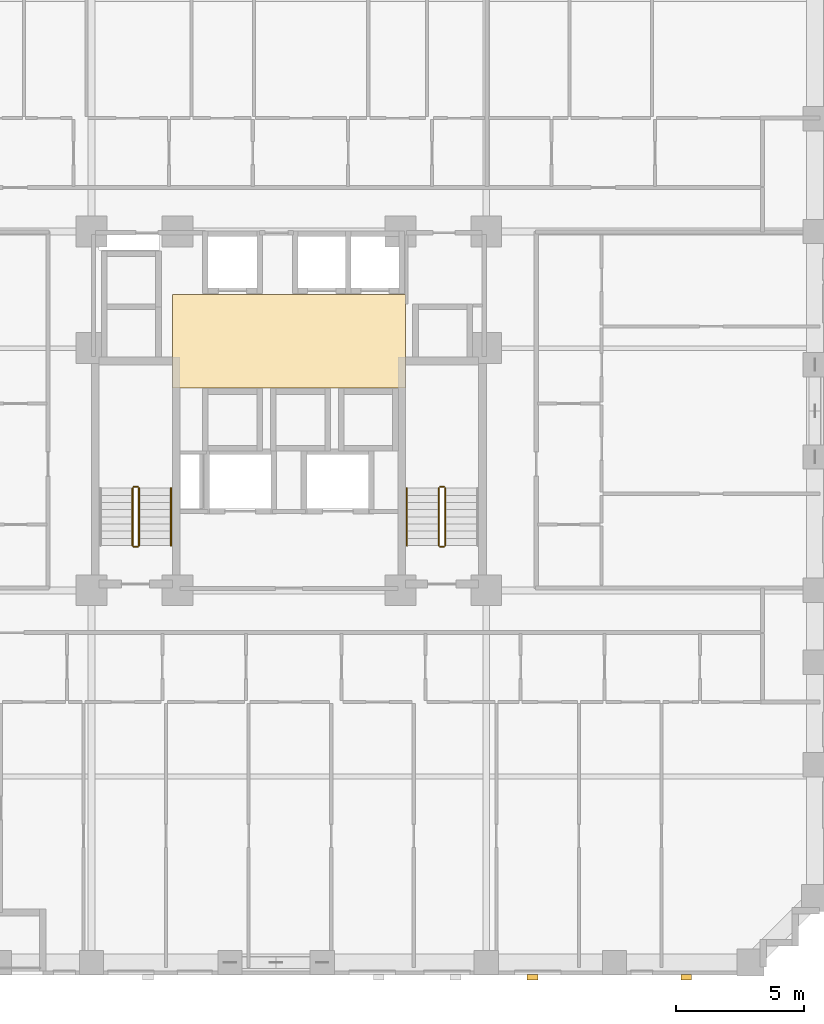
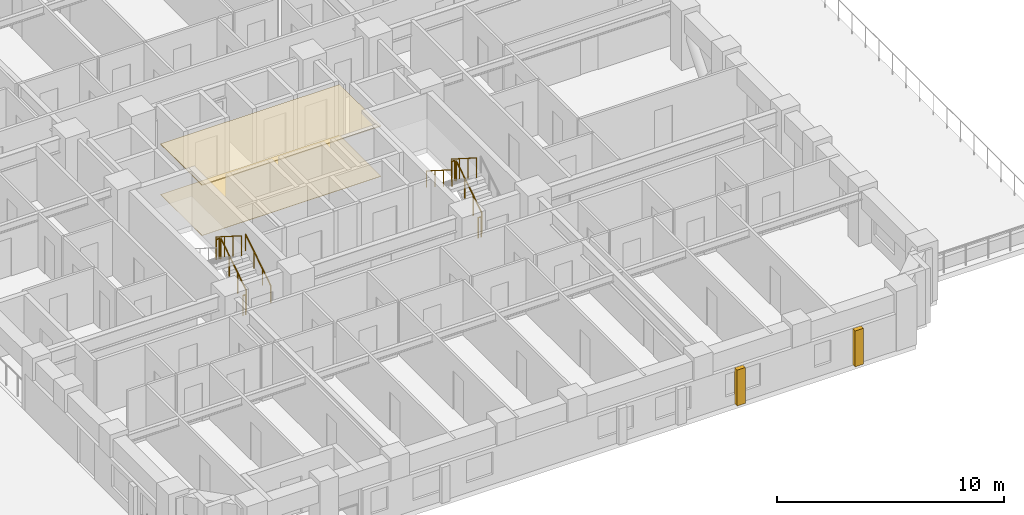
# One storey, part 13 of 14: 10 railings, 4 coverings.
"""IFC4 building model written with IfcOpenShell, lengths in metres."""

from ifc_helpers import new_model, si_unit, derived_unit, direction, frame, origin, origin_2d, place, context, subcontext, project, spatial, polyline, rectangle, circle, outline, extrude, material, layer, layer_set, type_object, element, save


model = new_model("IFC4")

# Units and contexts
model_context = context("Model", 3, precision=1e-05, world=origin(), true_north=direction((0.0, 1.0)))
body_context = subcontext(model_context, "Body", "Model", "MODEL_VIEW")
ifc_project = project(units=[si_unit("LENGTHUNIT", "METRE"), si_unit("AREAUNIT", "SQUARE_METRE"), si_unit("VOLUMEUNIT", "CUBIC_METRE"), si_unit("PLANEANGLEUNIT", "RADIAN"), si_unit("MASSUNIT", "GRAM", prefix="KILO"), derived_unit("THERMALTRANSMITTANCEUNIT", [(si_unit("MASSUNIT", "GRAM", prefix="KILO"), 1), (si_unit("TIMEUNIT", "SECOND"), -3), (si_unit("THERMODYNAMICTEMPERATUREUNIT", "KELVIN"), -1)])], contexts=[model_context])

# Site, building, storey
site_placement = place(None, origin())
site = spatial("IfcSite", under=ifc_project, at=site_placement, CompositionType="ELEMENT")
building_placement = place(site_placement, origin())
building = spatial("IfcBuilding", under=site, at=building_placement, Name="Korrvale Station Residences", CompositionType="ELEMENT")
storey_placement = place(building_placement, frame((0.0, 0.0, 25.800048828125)))
storey = spatial("IfcBuildingStorey", under=building, at=storey_placement, Name="L05", CompositionType="ELEMENT", Elevation=25.800048828125)

# Coverings
ifc_material_1 = material(Name="Perforated acoustic mineral-fibre suspended ceiling", Category="gypsum")
ifc_layer_1 = layer(ifc_material_1, 0.050048828125, Name="Perforated acoustic mineral-fibre suspended ceiling")
ifc_layer_set_1 = layer_set([ifc_layer_1], Name="Perforated acoustic mineral-fibre suspended ceiling")
covering_type_1 = type_object("IfcCoveringType", Name="COV-CLG-AC60", PredefinedType="CEILING", material=ifc_layer_set_1)
covering_1_placement = place(storey_placement, frame((0.0, 0.0, 2.68994140625)))
element("IfcCovering", 1, at=covering_1_placement, inside=storey, type_object=covering_type_1, Name="L05 Elevator Lobby Acoustic Ceiling", PredefinedType="CEILING", context=body_context, shape_type="SweptSolid", body=[
    extrude(outline(polyline([(20.949951171875, 22.89990234375), (30.050048828125, 22.89990234375), (30.050048828125, 26.550048828125), (20.949951171875, 26.550048828125), (20.949951171875, 22.89990234375)])), origin(), (0.0, 0.0, 1.0), 0.050048828125),
])
ifc_material_2 = material(Name="Polished quartz-terrazzo lobby flooring", Category="masonry")
ifc_layer_2 = layer(ifc_material_2, 0.02001953125, Name="Polished quartz-terrazzo lobby flooring")
ifc_layer_set_2 = layer_set([ifc_layer_2], Name="Polished quartz-terrazzo lobby flooring")
covering_type_2 = type_object("IfcCoveringType", Name="COV-FLR-TER20", PredefinedType="FLOORING", material=ifc_layer_set_2)
covering_2_placement = place(storey_placement, origin())
element("IfcCovering", 2, at=covering_2_placement, inside=storey, type_object=covering_type_2, Name="L05 Elevator Lobby Terrazzo Flooring", PredefinedType="FLOORING", context=body_context, shape_type="SweptSolid", body=[
    extrude(outline(polyline([(20.949951171875, 22.89990234375), (30.050048828125, 22.89990234375), (30.050048828125, 26.550048828125), (20.949951171875, 26.550048828125), (20.949951171875, 22.89990234375)])), origin(), (0.0, 0.0, 1.0), 0.02001953125),
])
ifc_material_3 = material(Name="Architectural precast concrete C45/55", Category="concrete")
ifc_layer_3 = layer(ifc_material_3, 0.219970703125, Name="Architectural precast concrete C45/55")
ifc_layer_set_3 = layer_set([ifc_layer_3], Name="Architectural precast concrete C45/55")
covering_type_3 = type_object("IfcCoveringType", Name="COV-PIER-400", PredefinedType="CLADDING", material=ifc_layer_set_3)
for number, where, z_axis, x_axis, name in (
    (3, (41.0, -0.090087890625, 0.02490234375), (0.0, 0.0, 1.0), (1.0, 0.0, 0.0), "L05 Architectural Precast Facade Pier 01"),
    (4, (35.0, -0.090087890625, 0.02490234375), (0.0, 0.0, 1.0), (1.0, 0.0, 0.0), "L05 Architectural Precast Facade Pier 02"),
):
    element("IfcCovering", number, at=place(storey_placement, frame(where, z_axis=z_axis, x_axis=x_axis)), inside=storey, type_object=covering_type_3, Name=name, PredefinedType="CLADDING", context=body_context, shape_type="SweptSolid", body=[
        extrude(rectangle(XDim=0.419921875, YDim=0.219970703125, at=origin_2d()), origin(), (0.0, 0.0, 1.0), 1.925048828125),
    ])

# Railings
ifc_material_4 = material(Name="Brushed stainless-steel continuous stair handrail", Category="steel")
railing_type_1 = type_object("IfcRailingType", Name="RLG-SHND-900", PredefinedType="HANDRAIL", material=ifc_material_4)
railing_1_placement = place(storey_placement, frame((20.89990234375, 16.75, 0.177734375)))
element("IfcRailing", 5, at=railing_1_placement, inside=storey, type_object=railing_type_1, Name="L05 ST-1 stair handrail 1", PredefinedType="HANDRAIL", context=body_context, shape_type="SweptSolid", body=[
    extrude(circle(Radius=0.02392578125, at=origin_2d()), frame((0.0, 0.0, 0.8759765625), z_axis=(0.0, 0.8442293374, 0.53598211339), x_axis=(-1.0, 0.0, 0.0)), (0.0, 0.0, 1.0), 2.6533203125),
    extrude(circle(Radius=0.02099609375, at=origin_2d()), origin(), (0.0, 0.0, 1.0), 0.851806640625),
    extrude(circle(Radius=0.02099609375, at=origin_2d()), frame((0.0, 0.74658203125, 0.47412109375)), (0.0, 0.0, 1.0), 0.851806640625),
    extrude(circle(Radius=0.02099609375, at=origin_2d()), frame((0.0, 1.493408203125, 0.947998046875)), (0.0, 0.0, 1.0), 0.851806640625),
    extrude(circle(Radius=0.02099609375, at=origin_2d()), frame((0.0, 2.239990234375, 1.422119140625)), (0.0, 0.0, 1.0), 0.851806640625),
])
railing_2_placement = place(storey_placement, frame((30.10009765625, 18.989990234375, 1.77783203125)))
element("IfcRailing", 6, at=railing_2_placement, inside=storey, type_object=railing_type_1, Name="L05 ST-2 stair handrail 2", PredefinedType="HANDRAIL", context=body_context, shape_type="SweptSolid", body=[
    extrude(circle(Radius=0.02392578125, at=origin_2d()), frame((0.0, 0.0, 0.8759765625), z_axis=(0.0, -0.8442293374, 0.53598211339), x_axis=(1.0, 0.0, 0.0)), (0.0, 0.0, 1.0), 2.6533203125),
    extrude(circle(Radius=0.02099609375, at=origin_2d()), origin(), (0.0, 0.0, 1.0), 0.851806640625),
    extrude(circle(Radius=0.02099609375, at=origin_2d()), frame((0.0, -0.74658203125, 0.47412109375)), (0.0, 0.0, 1.0), 0.851806640625),
    extrude(circle(Radius=0.02099609375, at=origin_2d()), frame((0.0, -1.493408203125, 0.947998046875)), (0.0, 0.0, 1.0), 0.851806640625),
    extrude(circle(Radius=0.02099609375, at=origin_2d()), frame((0.0, -2.239990234375, 1.422119140625)), (0.0, 0.0, 1.0), 0.851806640625),
])
ifc_material_5 = material(Name="Galvanised painted tubular steel stair guard", Category="steel")
railing_type_2 = type_object("IfcRailingType", Name="RLG-STR-1100", PredefinedType="GUARDRAIL", material=ifc_material_5)
railing_3_placement = place(storey_placement, frame((19.64990234375, 16.75, 0.177734375)))
element("IfcRailing", 7, at=railing_3_placement, inside=storey, type_object=railing_type_2, Name="L05 ST-1 stair guard 1", PredefinedType="GUARDRAIL", context=body_context, shape_type="SweptSolid", body=[
    extrude(circle(Radius=0.02392578125, at=origin_2d()), frame((0.0, 0.0, 1.076171875), z_axis=(0.0, 0.8442293374, 0.53598211339), x_axis=(-1.0, 0.0, 0.0)), (0.0, 0.0, 1.0), 2.6533203125),
    extrude(circle(Radius=0.02099609375, at=origin_2d()), origin(), (0.0, 0.0, 1.0), 1.052001953125),
    extrude(circle(Radius=0.02099609375, at=origin_2d()), frame((0.0, 0.74658203125, 0.47412109375)), (0.0, 0.0, 1.0), 1.052001953125),
    extrude(circle(Radius=0.02099609375, at=origin_2d()), frame((0.0, 1.493408203125, 0.947998046875)), (0.0, 0.0, 1.0), 1.052001953125),
    extrude(circle(Radius=0.02099609375, at=origin_2d()), frame((0.0, 2.239990234375, 1.422119140625)), (0.0, 0.0, 1.0), 1.052001953125),
])
railing_4_placement = place(storey_placement, frame((19.60009765625, 19.0400390625, 1.599853515625)))
element("IfcRailing", 8, at=railing_4_placement, inside=storey, type_object=railing_type_2, Name="L05 ST-1 stair guard 2", PredefinedType="GUARDRAIL", context=body_context, shape_type="SweptSolid", body=[
    extrude(circle(Radius=0.02392578125, at=origin_2d()), frame((0.0, 0.0, 1.076171875), z_axis=(-1.0, 0.0, 0.0), x_axis=(0.0, -1.0, 0.0)), (0.0, 0.0, 1.0), 0.150146484375),
    extrude(circle(Radius=0.02099609375, at=origin_2d()), origin(), (0.0, 0.0, 1.0), 1.052001953125),
    extrude(circle(Radius=0.02099609375, at=origin_2d()), frame((-0.150146484375, 0.0, 0.0)), (0.0, 0.0, 1.0), 1.052001953125),
])
railing_5_placement = place(storey_placement, frame((19.39990234375, 18.989990234375, 1.77783203125)))
element("IfcRailing", 9, at=railing_5_placement, inside=storey, type_object=railing_type_2, Name="L05 ST-1 stair guard 3", PredefinedType="GUARDRAIL", context=body_context, shape_type="SweptSolid", body=[
    extrude(circle(Radius=0.02392578125, at=origin_2d()), frame((0.0, 0.0, 1.076171875), z_axis=(0.0, -0.8442293374, 0.53598211339), x_axis=(1.0, 0.0, 0.0)), (0.0, 0.0, 1.0), 2.6533203125),
    extrude(circle(Radius=0.02099609375, at=origin_2d()), origin(), (0.0, 0.0, 1.0), 1.052001953125),
    extrude(circle(Radius=0.02099609375, at=origin_2d()), frame((0.0, -0.74658203125, 0.47412109375)), (0.0, 0.0, 1.0), 1.052001953125),
    extrude(circle(Radius=0.02099609375, at=origin_2d()), frame((0.0, -1.493408203125, 0.947998046875)), (0.0, 0.0, 1.0), 1.052001953125),
    extrude(circle(Radius=0.02099609375, at=origin_2d()), frame((0.0, -2.239990234375, 1.422119140625)), (0.0, 0.0, 1.0), 1.052001953125),
])
railing_6_placement = place(storey_placement, frame((19.60009765625, 16.699951171875, 0.0)))
element("IfcRailing", 10, at=railing_6_placement, inside=storey, type_object=railing_type_2, Name="L05 ST-1 stair guard 4", PredefinedType="GUARDRAIL", context=body_context, shape_type="SweptSolid", body=[
    extrude(circle(Radius=0.02392578125, at=origin_2d()), frame((0.0, 0.0, 1.076171875), z_axis=(-1.0, 0.0, 0.0), x_axis=(0.0, -1.0, 0.0)), (0.0, 0.0, 1.0), 0.150146484375),
    extrude(circle(Radius=0.02099609375, at=origin_2d()), origin(), (0.0, 0.0, 1.0), 1.052001953125),
    extrude(circle(Radius=0.02099609375, at=origin_2d()), frame((-0.150146484375, 0.0, 0.0)), (0.0, 0.0, 1.0), 1.052001953125),
])
railing_7_placement = place(storey_placement, frame((31.60009765625, 16.75, 0.177734375)))
element("IfcRailing", 11, at=railing_7_placement, inside=storey, type_object=railing_type_2, Name="L05 ST-2 stair guard 1", PredefinedType="GUARDRAIL", context=body_context, shape_type="SweptSolid", body=[
    extrude(circle(Radius=0.02392578125, at=origin_2d()), frame((0.0, 0.0, 1.076171875), z_axis=(0.0, 0.8442293374, 0.53598211339), x_axis=(-1.0, 0.0, 0.0)), (0.0, 0.0, 1.0), 2.6533203125),
    extrude(circle(Radius=0.02099609375, at=origin_2d()), origin(), (0.0, 0.0, 1.0), 1.052001953125),
    extrude(circle(Radius=0.02099609375, at=origin_2d()), frame((0.0, 0.74658203125, 0.47412109375)), (0.0, 0.0, 1.0), 1.052001953125),
    extrude(circle(Radius=0.02099609375, at=origin_2d()), frame((0.0, 1.493408203125, 0.947998046875)), (0.0, 0.0, 1.0), 1.052001953125),
    extrude(circle(Radius=0.02099609375, at=origin_2d()), frame((0.0, 2.239990234375, 1.422119140625)), (0.0, 0.0, 1.0), 1.052001953125),
])
railing_8_placement = place(storey_placement, frame((31.550048828125, 19.0400390625, 1.599853515625)))
element("IfcRailing", 12, at=railing_8_placement, inside=storey, type_object=railing_type_2, Name="L05 ST-2 stair guard 2", PredefinedType="GUARDRAIL", context=body_context, shape_type="SweptSolid", body=[
    extrude(circle(Radius=0.02392578125, at=origin_2d()), frame((0.0, 0.0, 1.076171875), z_axis=(-1.0, 0.0, 0.0), x_axis=(0.0, -1.0, 0.0)), (0.0, 0.0, 1.0), 0.150146484375),
    extrude(circle(Radius=0.02099609375, at=origin_2d()), origin(), (0.0, 0.0, 1.0), 1.052001953125),
    extrude(circle(Radius=0.02099609375, at=origin_2d()), frame((-0.150146484375, 0.0, 0.0)), (0.0, 0.0, 1.0), 1.052001953125),
])
railing_9_placement = place(storey_placement, frame((31.35009765625, 18.989990234375, 1.77783203125)))
element("IfcRailing", 13, at=railing_9_placement, inside=storey, type_object=railing_type_2, Name="L05 ST-2 stair guard 3", PredefinedType="GUARDRAIL", context=body_context, shape_type="SweptSolid", body=[
    extrude(circle(Radius=0.02392578125, at=origin_2d()), frame((0.0, 0.0, 1.076171875), z_axis=(0.0, -0.8442293374, 0.53598211339), x_axis=(1.0, 0.0, 0.0)), (0.0, 0.0, 1.0), 2.6533203125),
    extrude(circle(Radius=0.02099609375, at=origin_2d()), origin(), (0.0, 0.0, 1.0), 1.052001953125),
    extrude(circle(Radius=0.02099609375, at=origin_2d()), frame((0.0, -0.74658203125, 0.47412109375)), (0.0, 0.0, 1.0), 1.052001953125),
    extrude(circle(Radius=0.02099609375, at=origin_2d()), frame((0.0, -1.493408203125, 0.947998046875)), (0.0, 0.0, 1.0), 1.052001953125),
    extrude(circle(Radius=0.02099609375, at=origin_2d()), frame((0.0, -2.239990234375, 1.422119140625)), (0.0, 0.0, 1.0), 1.052001953125),
])
railing_10_placement = place(storey_placement, frame((31.550048828125, 16.699951171875, 0.0)))
element("IfcRailing", 14, at=railing_10_placement, inside=storey, type_object=railing_type_2, Name="L05 ST-2 stair guard 4", PredefinedType="GUARDRAIL", context=body_context, shape_type="SweptSolid", body=[
    extrude(circle(Radius=0.02392578125, at=origin_2d()), frame((0.0, 0.0, 1.076171875), z_axis=(-1.0, 0.0, 0.0), x_axis=(0.0, -1.0, 0.0)), (0.0, 0.0, 1.0), 0.150146484375),
    extrude(circle(Radius=0.02099609375, at=origin_2d()), origin(), (0.0, 0.0, 1.0), 1.052001953125),
    extrude(circle(Radius=0.02099609375, at=origin_2d()), frame((-0.150146484375, 0.0, 0.0)), (0.0, 0.0, 1.0), 1.052001953125),
])

save(model, "model.ifc")
